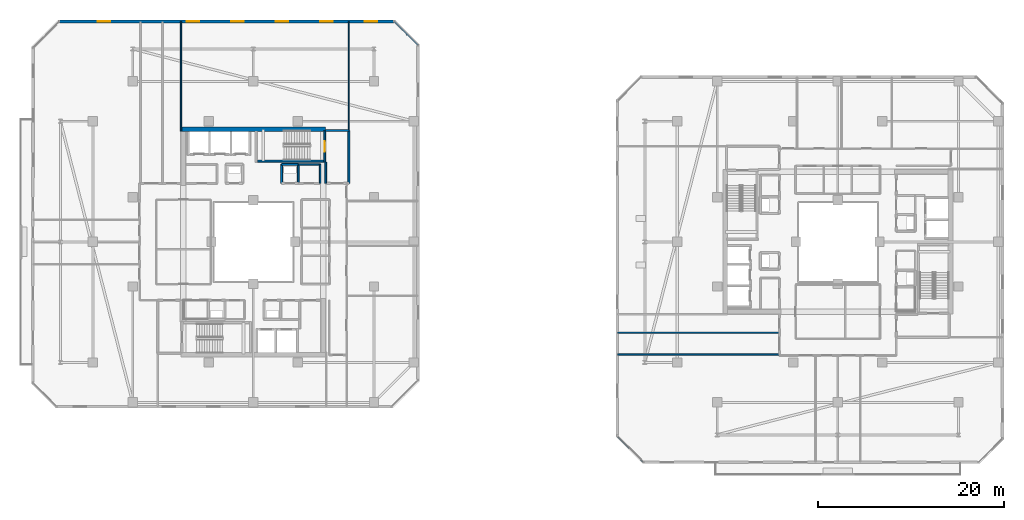
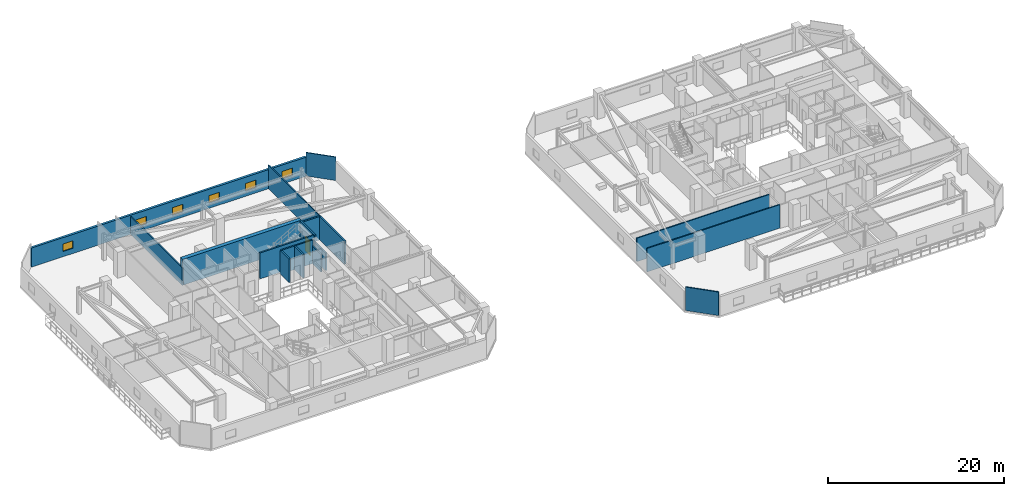
# One storey, part 22 of 33: 18 walls, 6 windows, 1 door, 7 openings.
"""IFC4 building model written with IfcOpenShell, lengths in metres."""

from ifc_helpers import new_model, si_unit, direction, frame, frame_2d, origin, place, context, subcontext, project, spatial, rectangle, extrude, material, layer, layer_set, type_object, element, fill, save


model = new_model("IFC4")

# Units and contexts
model_context = context("Model", 3, precision=1e-05, world=origin(), true_north=direction((0.0, 1.0)))
body_context = subcontext(model_context, "Body", "Model", "MODEL_VIEW")
ifc_project = project(units=[si_unit("LENGTHUNIT", "METRE"), si_unit("AREAUNIT", "SQUARE_METRE"), si_unit("VOLUMEUNIT", "CUBIC_METRE"), si_unit("PLANEANGLEUNIT", "RADIAN"), si_unit("MASSUNIT", "GRAM", prefix="KILO")], contexts=[model_context])

# Site, building, storey
site_placement = place(None, origin())
site = spatial("IfcSite", under=ifc_project, at=site_placement, CompositionType="ELEMENT")
building_placement = place(site_placement, origin())
building = spatial("IfcBuilding", under=site, at=building_placement, Name="Thornwick Lancets Civic Towers", CompositionType="ELEMENT")
storey_placement = place(building_placement, frame((0.0, 0.0, 218.10009765625)))
storey = spatial("IfcBuildingStorey", under=building, at=storey_placement, Name="L58", CompositionType="ELEMENT", Elevation=218.10009765625)

# Walls
ifc_material_1 = material(Name="Concrete blockwork C40/50", Category="masonry")
ifc_layer_1 = layer(ifc_material_1, 0.199951171875, Name="Concrete blockwork C40/50")
ifc_layer_set_1 = layer_set([ifc_layer_1], Name="Concrete blockwork C40/50")
wall_type_1 = type_object("IfcWallType", Name="WALL_COMP_200", PredefinedType="STANDARD", material=ifc_layer_set_1)
wall_1_placement = place(storey_placement, frame((35.800048828125, 33.300048828125, 0.0), z_axis=(0.0, 0.0, 1.0), x_axis=(0.0, 1.0, 0.0)))
element("IfcWall", 1, at=wall_1_placement, inside=storey, type_object=wall_type_1, Name="L58 Partition L58-A-FFLOB2 E2", PredefinedType="STANDARD", context=body_context, shape_type="SweptSolid", body=[
    extrude(rectangle(XDim=5.699951171875, YDim=0.199951171875, at=frame_2d((2.85009765625, 0.0))), origin(), (0.0, 0.0, 1.0), 3.260009765625),
])
wall_2_placement = place(storey_placement, frame((35.800048828125, 39.0, 0.0), z_axis=(0.0, 0.0, 1.0), x_axis=(-1.0, 0.0, 0.0)))
element("IfcWall", 2, at=wall_2_placement, inside=storey, type_object=wall_type_1, Name="L58 Partition L58-A-FFLOB2 E3", PredefinedType="STANDARD", context=body_context, shape_type="SweptSolid", body=[
    extrude(rectangle(XDim=2.5, YDim=0.199951171875, at=frame_2d((1.25, 0.0))), origin(), (0.0, 0.0, 1.0), 3.260009765625),
])
wall_3_placement = place(storey_placement, frame((33.300048828125, 35.60009765625, 0.0), z_axis=(0.0, 0.0, 1.0), x_axis=(0.0, -1.0, 0.0)))
element("IfcWall", 3, at=wall_3_placement, inside=storey, type_object=wall_type_1, Name="L58 Partition L58-A-FFLOB2 E4", PredefinedType="STANDARD", context=body_context, shape_type="SweptSolid", body=[
    extrude(rectangle(XDim=2.300048828125, YDim=0.199951171875, at=frame_2d((1.14990234375, 0.0))), origin(), (0.0, 0.0, 1.0), 2.46484375),
])
wall_4_placement = place(storey_placement, frame((30.35009765625, 33.300048828125, 0.0), z_axis=(0.0, 0.0, 1.0), x_axis=(0.0, 1.0, 0.0)))
element("IfcWall", 4, at=wall_4_placement, inside=storey, type_object=wall_type_1, Name="L58 Partition L58-A-RISER2 E2", PredefinedType="STANDARD", context=body_context, shape_type="SweptSolid", body=[
    extrude(rectangle(XDim=2.050048828125, YDim=0.199951171875, at=frame_2d((1.02490234375, 0.0))), origin(), (0.0, 0.0, 1.0), 3.260009765625),
])
wall_5_placement = place(storey_placement, frame((30.35009765625, 35.35009765625, 0.0), z_axis=(0.0, 0.0, 1.0), x_axis=(-1.0, 0.0, 0.0)))
element("IfcWall", 5, at=wall_5_placement, inside=storey, type_object=wall_type_1, Name="L58 Partition L58-A-RISER2 E3", PredefinedType="STANDARD", context=body_context, shape_type="SweptSolid", body=[
    extrude(rectangle(XDim=1.800048828125, YDim=0.199951171875, at=frame_2d((0.89990234375, 0.0))), origin(), (0.0, 0.0, 1.0), 3.260009765625),
])
wall_6_placement = place(storey_placement, frame((28.550048828125, 35.35009765625, 0.0), z_axis=(0.0, 0.0, 1.0), x_axis=(0.0, -1.0, 0.0)))
element("IfcWall", 6, at=wall_6_placement, inside=storey, type_object=wall_type_1, Name="L58 Partition L58-A-RISER2 E4", PredefinedType="STANDARD", context=body_context, shape_type="SweptSolid", body=[
    extrude(rectangle(XDim=2.050048828125, YDim=0.199951171875, at=frame_2d((1.02490234375, 0.0))), origin(), (0.0, 0.0, 1.0), 3.260009765625),
])
ifc_material_2 = material(Name="Concrete C50/60", Category="concrete")
ifc_layer_2 = layer(ifc_material_2, 0.5, Name="Concrete C50/60")
ifc_layer_set_2 = layer_set([ifc_layer_2], Name="Concrete C50/60")
wall_type_2 = type_object("IfcWallType", Name="WALL_CORE_500", PredefinedType="SHEAR", material=ifc_layer_set_2)
wall_7_placement = place(storey_placement, frame((17.699951171875, 39.14990234375, 0.0), z_axis=(0.0, 0.0, 1.0), x_axis=(1.0, 0.0, 0.0)))
element("IfcWall", 7, at=wall_7_placement, inside=storey, type_object=wall_type_2, Name="L58 Split Core A2 Shear Wall N", PredefinedType="SHEAR", context=body_context, shape_type="SweptSolid", body=[
    extrude(rectangle(XDim=15.60009765625, YDim=0.5, at=frame_2d((7.800048828125, 0.0))), origin(), (0.0, 0.0, 1.0), 3.599853515625),
])

# Wall, openings, windows
ifc_material_3 = material(Name="Insulated russet terracotta rainscreen on concrete C40/50", Category="masonry")
ifc_layer_3 = layer(ifc_material_3, 0.300048828125, Name="Insulated russet terracotta rainscreen on concrete C40/50")
ifc_layer_set_3 = layer_set([ifc_layer_3], Name="Insulated russet terracotta rainscreen on concrete C40/50")
wall_type_3 = type_object("IfcWallType", Name="WALL_EXT_RUSSET_300", PredefinedType="STANDARD", material=ifc_layer_set_3)
wall_8_placement = place(storey_placement, frame((40.681396484375, 50.7646484375, 0.0), z_axis=(0.0, 0.0, 1.0), x_axis=(-0.999999999634, -2.7061402e-05, 0.0)))
wall_8 = element("IfcWall", 8, at=wall_8_placement, inside=storey, type_object=wall_type_3, Name="L58 Tower A Terracotta Facade Wall E4", PredefinedType="STANDARD", context=body_context, shape_type="SweptSolid", body=[
    extrude(rectangle(XDim=36.0869140625, YDim=0.300048828125, at=frame_2d((18.04345703125, 0.0))), origin(), (0.0, 0.0, 1.0), 2.659912109375),
])
opening_1_placement = place(wall_8_placement, frame((1.800048828125, 0.0, 0.719970703125)))
opening_1 = element("IfcOpeningElement", 9, at=opening_1_placement, cuts=wall_8, Name="Opening WL-03", PredefinedType="OPENING", context=body_context, shape_type="SweptSolid", body=[
    extrude(rectangle(XDim=1.35009765625, YDim=1.050048828125, at=frame_2d((0.675048828125, 0.52490234375))), frame((0.0, 0.16015625, 0.0), z_axis=(0.0, -1.0, 0.0), x_axis=(1.0, 0.0, 0.0)), (0.0, 0.0, 1.0), 0.320068359375),
])
opening_2_placement = place(wall_8_placement, frame((6.60009765625, 0.0, 0.719970703125)))
opening_2 = element("IfcOpeningElement", 10, at=opening_2_placement, cuts=wall_8, Name="Opening WL-03", PredefinedType="OPENING", context=body_context, shape_type="SweptSolid", body=[
    extrude(rectangle(XDim=1.35009765625, YDim=1.050048828125, at=frame_2d((0.675048828125, 0.52490234375))), frame((0.0, 0.16015625, 0.0), z_axis=(0.0, -1.0, 0.0), x_axis=(1.0, 0.0, 0.0)), (0.0, 0.0, 1.0), 0.320068359375),
])
opening_3_placement = place(wall_8_placement, frame((11.39990234375, 0.0, 0.719970703125)))
opening_3 = element("IfcOpeningElement", 11, at=opening_3_placement, cuts=wall_8, Name="Opening WL-03", PredefinedType="OPENING", context=body_context, shape_type="SweptSolid", body=[
    extrude(rectangle(XDim=1.35009765625, YDim=1.050048828125, at=frame_2d((0.675048828125, 0.52490234375))), frame((0.0, 0.16015625, 0.0), z_axis=(0.0, -1.0, 0.0), x_axis=(1.0, 0.0, 0.0)), (0.0, 0.0, 1.0), 0.320068359375),
])
opening_4_placement = place(wall_8_placement, frame((16.199951171875, 0.0, 0.719970703125)))
opening_4 = element("IfcOpeningElement", 12, at=opening_4_placement, cuts=wall_8, Name="Opening WL-03", PredefinedType="OPENING", context=body_context, shape_type="SweptSolid", body=[
    extrude(rectangle(XDim=1.35009765625, YDim=1.050048828125, at=frame_2d((0.675048828125, 0.52490234375))), frame((0.0, 0.16015625, 0.0), z_axis=(0.0, -1.0, 0.0), x_axis=(1.0, 0.0, 0.0)), (0.0, 0.0, 1.0), 0.320068359375),
])
opening_5_placement = place(wall_8_placement, frame((21.0, 0.0, 0.719970703125)))
opening_5 = element("IfcOpeningElement", 13, at=opening_5_placement, cuts=wall_8, Name="Opening WL-03", PredefinedType="OPENING", context=body_context, shape_type="SweptSolid", body=[
    extrude(rectangle(XDim=1.35009765625, YDim=1.050048828125, at=frame_2d((0.675048828125, 0.52490234375))), frame((0.0, 0.16015625, 0.0), z_axis=(0.0, -1.0, 0.0), x_axis=(1.0, 0.0, 0.0)), (0.0, 0.0, 1.0), 0.320068359375),
])
opening_6_placement = place(wall_8_placement, frame((30.60009765625, 0.0, 0.719970703125)))
opening_6 = element("IfcOpeningElement", 14, at=opening_6_placement, cuts=wall_8, Name="Opening WL-03", PredefinedType="OPENING", context=body_context, shape_type="SweptSolid", body=[
    extrude(rectangle(XDim=1.35009765625, YDim=1.050048828125, at=frame_2d((0.675048828125, 0.52490234375))), frame((0.0, 0.16015625, 0.0), z_axis=(0.0, -1.0, 0.0), x_axis=(1.0, 0.0, 0.0)), (0.0, 0.0, 1.0), 0.320068359375),
])
ifc_material_4 = material(Name="Clear low-e double glazing clerestory lancet", Category="glass")
window_type = type_object("IfcWindowType", Name="WIN_LANCET_1350", PartitioningType="SINGLE_PANEL", PredefinedType="WINDOW", material=ifc_material_4)
window_1_placement = place(opening_1_placement, origin())
window_1 = element("IfcWindow", 15, at=window_1_placement, inside=storey, type_object=window_type, Name="L58 Tower A Staggered Lancet Window E4-1", OverallHeight=1.050048828125, OverallWidth=1.35009765625, PartitioningType="SINGLE_PANEL", PredefinedType="WINDOW", context=body_context, shape_type="SweptSolid", body=[
    extrude(rectangle(XDim=1.35009765625, YDim=1.050048828125, at=frame_2d((0.675048828125, 0.52490234375))), frame((0.0, 0.030029296875, 0.0), z_axis=(0.0, -1.0, 0.0), x_axis=(1.0, 0.0, 0.0)), (0.0, 0.0, 1.0), 0.06005859375),
])
fill(opening_1, window_1)
window_2_placement = place(opening_2_placement, origin())
window_2 = element("IfcWindow", 16, at=window_2_placement, inside=storey, type_object=window_type, Name="L58 Tower A Staggered Lancet Window E4-2", OverallHeight=1.050048828125, OverallWidth=1.35009765625, PartitioningType="SINGLE_PANEL", PredefinedType="WINDOW", context=body_context, shape_type="SweptSolid", body=[
    extrude(rectangle(XDim=1.35009765625, YDim=1.050048828125, at=frame_2d((0.675048828125, 0.52490234375))), frame((0.0, 0.030029296875, 0.0), z_axis=(0.0, -1.0, 0.0), x_axis=(1.0, 0.0, 0.0)), (0.0, 0.0, 1.0), 0.06005859375),
])
fill(opening_2, window_2)
window_3_placement = place(opening_3_placement, origin())
window_3 = element("IfcWindow", 17, at=window_3_placement, inside=storey, type_object=window_type, Name="L58 Tower A Staggered Lancet Window E4-3", OverallHeight=1.050048828125, OverallWidth=1.35009765625, PartitioningType="SINGLE_PANEL", PredefinedType="WINDOW", context=body_context, shape_type="SweptSolid", body=[
    extrude(rectangle(XDim=1.35009765625, YDim=1.050048828125, at=frame_2d((0.675048828125, 0.52490234375))), frame((0.0, 0.030029296875, 0.0), z_axis=(0.0, -1.0, 0.0), x_axis=(1.0, 0.0, 0.0)), (0.0, 0.0, 1.0), 0.06005859375),
])
fill(opening_3, window_3)
window_4_placement = place(opening_4_placement, origin())
window_4 = element("IfcWindow", 18, at=window_4_placement, inside=storey, type_object=window_type, Name="L58 Tower A Staggered Lancet Window E4-4", OverallHeight=1.050048828125, OverallWidth=1.35009765625, PartitioningType="SINGLE_PANEL", PredefinedType="WINDOW", context=body_context, shape_type="SweptSolid", body=[
    extrude(rectangle(XDim=1.35009765625, YDim=1.050048828125, at=frame_2d((0.675048828125, 0.52490234375))), frame((0.0, 0.030029296875, 0.0), z_axis=(0.0, -1.0, 0.0), x_axis=(1.0, 0.0, 0.0)), (0.0, 0.0, 1.0), 0.06005859375),
])
fill(opening_4, window_4)
window_5_placement = place(opening_5_placement, origin())
window_5 = element("IfcWindow", 19, at=window_5_placement, inside=storey, type_object=window_type, Name="L58 Tower A Staggered Lancet Window E4-5", OverallHeight=1.050048828125, OverallWidth=1.35009765625, PartitioningType="SINGLE_PANEL", PredefinedType="WINDOW", context=body_context, shape_type="SweptSolid", body=[
    extrude(rectangle(XDim=1.35009765625, YDim=1.050048828125, at=frame_2d((0.675048828125, 0.52490234375))), frame((0.0, 0.030029296875, 0.0), z_axis=(0.0, -1.0, 0.0), x_axis=(1.0, 0.0, 0.0)), (0.0, 0.0, 1.0), 0.06005859375),
])
fill(opening_5, window_5)
window_6_placement = place(opening_6_placement, origin())
window_6 = element("IfcWindow", 20, at=window_6_placement, inside=storey, type_object=window_type, Name="L58 Tower A Staggered Lancet Window E4-6", OverallHeight=1.050048828125, OverallWidth=1.35009765625, PartitioningType="SINGLE_PANEL", PredefinedType="WINDOW", context=body_context, shape_type="SweptSolid", body=[
    extrude(rectangle(XDim=1.35009765625, YDim=1.050048828125, at=frame_2d((0.675048828125, 0.52490234375))), frame((0.0, 0.030029296875, 0.0), z_axis=(0.0, -1.0, 0.0), x_axis=(1.0, 0.0, 0.0)), (0.0, 0.0, 1.0), 0.06005859375),
])
fill(opening_6, window_6)

# Walls
ifc_material_5 = material(Name="Acoustic gypsum board partition")
ifc_layer_4 = layer(ifc_material_5, 0.1201171875, Name="Acoustic gypsum board partition")
ifc_layer_set_4 = layer_set([ifc_layer_4], Name="Acoustic gypsum board partition")
wall_type_4 = type_object("IfcWallType", Name="WALL_PART_120", PredefinedType="PARTITIONING", material=ifc_layer_set_4)
wall_9_placement = place(storey_placement, frame((35.800048828125, 39.0, 0.0), z_axis=(0.0, 0.0, 1.0), x_axis=(0.0, 1.0, 0.0)))
element("IfcWall", 21, at=wall_9_placement, inside=storey, type_object=wall_type_4, Name="L58 Partition L58-A-E4 E3", PredefinedType="PARTITIONING", context=body_context, shape_type="SweptSolid", body=[
    extrude(rectangle(XDim=11.719970703125, YDim=0.1201171875, at=frame_2d((5.85986328125, 0.0))), origin(), (0.0, 0.0, 1.0), 3.260009765625),
])
wall_10_placement = place(storey_placement, frame((40.725341796875, 50.719970703125, 0.0), z_axis=(0.0, 0.0, 1.0), x_axis=(0.707106781187, -0.707106781187, 0.0)))
element("IfcWall", 22, at=wall_10_placement, inside=storey, type_object=wall_type_4, Name="L58 Partition L58-A-E4 E5", PredefinedType="PARTITIONING", context=body_context, shape_type="SweptSolid", body=[
    extrude(rectangle(XDim=3.52783203125, YDim=0.1201171875, at=frame_2d((1.763916015625, 0.0))), origin(), (0.0, 0.0, 1.0), 3.260009765625),
])
ifc_material_6 = material(Name="Twin-stud acoustic gypsum board")
ifc_layer_5 = layer(ifc_material_6, 0.14990234375, Name="Twin-stud acoustic gypsum board")
ifc_layer_set_5 = layer_set([ifc_layer_5], Name="Twin-stud acoustic gypsum board")
wall_type_5 = type_object("IfcWallType", Name="WALL_PART_150", PredefinedType="PARTITIONING", material=ifc_layer_set_5)
wall_11_placement = place(storey_placement, frame((32.699951171875, 35.35009765625, 0.0), z_axis=(0.0, 0.0, 1.0), x_axis=(0.0, -1.0, 0.0)))
element("IfcWall", 23, at=wall_11_placement, inside=storey, type_object=wall_type_5, Name="L58 Partition L58-A-FWC E1", PredefinedType="PARTITIONING", context=body_context, shape_type="SweptSolid", body=[
    extrude(rectangle(XDim=2.050048828125, YDim=0.14990234375, at=frame_2d((1.02490234375, 0.0))), origin(), (0.0, 0.0, 1.0), 2.46484375),
])
wall_12_placement = place(storey_placement, frame((30.35009765625, 35.35009765625, 0.0), z_axis=(0.0, 0.0, 1.0), x_axis=(1.0, 0.0, 0.0)))
element("IfcWall", 24, at=wall_12_placement, inside=storey, type_object=wall_type_5, Name="L58 Partition L58-A-FWC E4", PredefinedType="PARTITIONING", context=body_context, shape_type="SweptSolid", body=[
    extrude(rectangle(XDim=2.349853515625, YDim=0.14990234375, at=frame_2d((1.1748046875, 0.0))), origin(), (0.0, 0.0, 1.0), 3.260009765625),
])
wall_13_placement = place(storey_placement, frame((17.699951171875, 50.719970703125, 0.0), z_axis=(0.0, 0.0, 1.0), x_axis=(0.0, -1.0, 0.0)))
element("IfcWall", 25, at=wall_13_placement, inside=storey, type_object=wall_type_5, Name="L58 Partition L58-A-RECLAIM-M2 E3", PredefinedType="PARTITIONING", context=body_context, shape_type="SweptSolid", body=[
    extrude(rectangle(XDim=11.820068359375, YDim=0.14990234375, at=frame_2d((5.91015625, 0.0))), origin(), (0.0, 0.0, 1.0), 2.46484375),
])
for number, where, z_axis, x_axis, name in (
    (26, (82.199951171875, 14.85009765625, 0.0), (0.0, 0.0, 1.0), (-1.0, 0.0, 0.0), "L58 Partition L58-B-RECLAIM-M1 E1"),
    (27, (64.780029296875, 17.199951171875, 0.0), (0.0, 0.0, 1.0), (1.0, 0.0, 0.0), "L58 Partition L58-B-RECLAIM-M1 E3"),
):
    element("IfcWall", number, at=place(storey_placement, frame(where, z_axis=z_axis, x_axis=x_axis)), inside=storey, type_object=wall_type_5, Name=name, PredefinedType="PARTITIONING", context=body_context, shape_type="SweptSolid", body=[
        extrude(rectangle(XDim=17.419921875, YDim=0.14990234375, at=frame_2d((8.7099609375, 0.0))), origin(), (0.0, 0.0, 1.0), 3.260009765625),
    ])
wall_14_placement = place(storey_placement, frame((67.551513671875, 3.280029296875, 0.0), z_axis=(0.0, 0.0, 1.0), x_axis=(-0.707106781187, 0.707106781187, 0.0)))
element("IfcWall", 28, at=wall_14_placement, inside=storey, type_object=wall_type_5, Name="L58 Partition L58-B-W2C E2", PredefinedType="PARTITIONING", context=body_context, shape_type="SweptSolid", body=[
    extrude(rectangle(XDim=3.91943359375, YDim=0.14990234375, at=frame_2d((1.959716796875, 0.0))), origin(), (0.0, 0.0, 1.0), 3.260009765625),
])

# Wall, opening, door
ifc_material_7 = material(Name="Concrete C40/50", Category="concrete")
ifc_layer_6 = layer(ifc_material_7, 0.199951171875, Name="Concrete C40/50")
ifc_layer_set_6 = layer_set([ifc_layer_6], Name="Concrete C40/50")
wall_type_6 = type_object("IfcWallType", Name="WALL_SHAFT_200", PredefinedType="SHEAR", material=ifc_layer_set_6)
wall_15_placement = place(storey_placement, frame((33.199951171875, 38.949951171875, 0.0), z_axis=(0.0, 0.0, 1.0), x_axis=(0.0, -1.0, 0.0)))
wall_15 = element("IfcWall", 29, at=wall_15_placement, inside=storey, type_object=wall_type_6, Name="L58 ST-A2 Fire Stair Core Wall NEAR", PredefinedType="SHEAR", context=body_context, shape_type="SweptSolid", body=[
    extrude(rectangle(XDim=3.349853515625, YDim=0.199951171875, at=frame_2d((1.6748046875, 0.0))), origin(), (0.0, 0.0, 1.0), 3.599853515625),
])
opening_7_placement = place(wall_15_placement, frame((1.125, 0.0, 0.0)))
opening_7 = element("IfcOpeningElement", 30, at=opening_7_placement, cuts=wall_15, Name="Opening D-ST-A2-L58", PredefinedType="OPENING", context=body_context, shape_type="SweptSolid", body=[
    extrude(rectangle(XDim=1.10009765625, YDim=2.10009765625, at=frame_2d((0.550048828125, 1.050048828125))), frame((0.0, 0.10986328125, 0.0), z_axis=(0.0, -1.0, 0.0), x_axis=(1.0, 0.0, 0.0)), (0.0, 0.0, 1.0), 0.219970703125),
])
ifc_material_8 = material(Name="Fire-resisting steel and hardwood", Category="steel")
door_type = type_object("IfcDoorType", Name="DOOR_STAIR_FD60", OperationType="NOTDEFINED", PredefinedType="DOOR", material=ifc_material_8)
door_placement = place(opening_7_placement, origin())
door = element("IfcDoor", 31, at=door_placement, inside=storey, type_object=door_type, Name="L58 ST-A2 Exit Stair Door", OperationType="SINGLE_SWING_LEFT", OverallHeight=2.10009765625, OverallWidth=1.10009765625, PredefinedType="DOOR", context=body_context, shape_type="SweptSolid", body=[
    extrude(rectangle(XDim=1.10009765625, YDim=2.10009765625, at=frame_2d((0.550048828125, 1.050048828125))), frame((0.0, 0.02490234375, 0.0), z_axis=(0.0, -1.0, 0.0), x_axis=(1.0, 0.0, 0.0)), (0.0, 0.0, 1.0), 0.050048828125),
])
fill(opening_7, door)

# Wall
wall_16_placement = place(storey_placement, frame((25.949951171875, 35.702880859375, 0.0), z_axis=(0.0, 0.0, 1.0), x_axis=(1.0, 0.0, 0.0)))
element("IfcWall", 32, at=wall_16_placement, inside=storey, type_object=wall_type_6, Name="L58 ST-A2 Fire Stair Core Wall RIGHT", PredefinedType="SHEAR", context=body_context, shape_type="SweptSolid", body=[
    extrude(rectangle(XDim=7.10009765625, YDim=0.199951171875, at=frame_2d((3.550048828125, 0.0))), origin(), (0.0, 0.0, 1.0), 3.599853515625),
])

save(model, "model.ifc")
